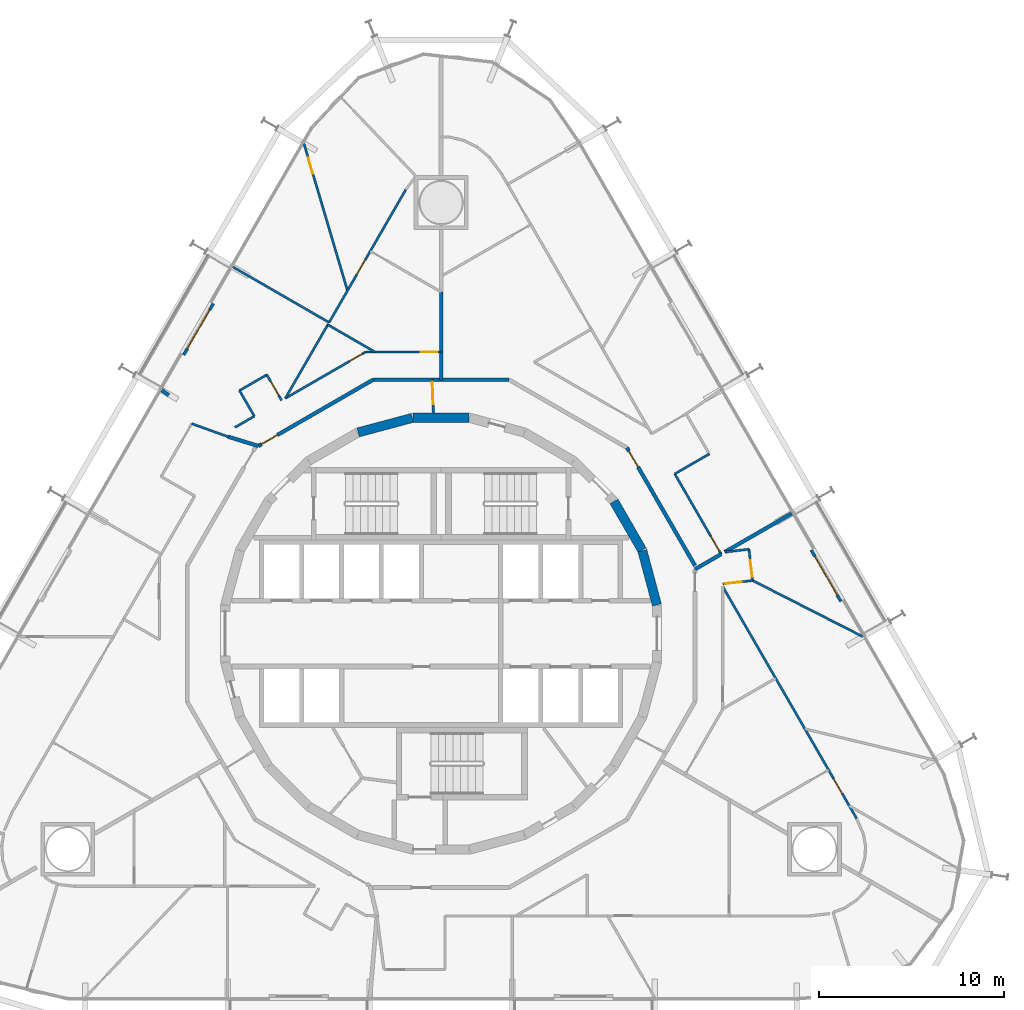
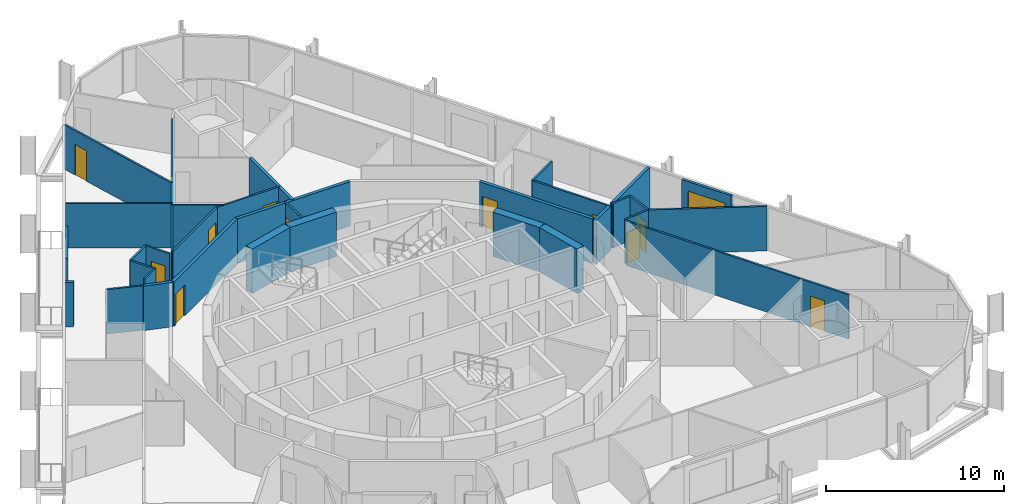
# One storey, part 17 of 20: 34 walls, 14 doors, 14 openings.
"""IFC4 building model written with IfcOpenShell, lengths in metres."""

from ifc_helpers import new_model, si_unit, direction, frame, frame_2d, origin, place, context, subcontext, project, spatial, rectangle, extrude, material, layer, layer_set, type_object, element, fill, save


model = new_model("IFC4")

# Units and contexts
model_context = context("Model", 3, precision=1e-05, world=origin(), true_north=direction((0.0, 1.0)))
body_context = subcontext(model_context, "Body", "Model", "MODEL_VIEW")
ifc_project = project(units=[si_unit("LENGTHUNIT", "METRE"), si_unit("AREAUNIT", "SQUARE_METRE"), si_unit("VOLUMEUNIT", "CUBIC_METRE"), si_unit("PLANEANGLEUNIT", "RADIAN"), si_unit("MASSUNIT", "GRAM", prefix="KILO")], contexts=[model_context])

# Site, building, storey
site_placement = place(None, origin())
site = spatial("IfcSite", under=ifc_project, at=site_placement, CompositionType="ELEMENT")
building_placement = place(site_placement, origin())
building = spatial("IfcBuilding", under=site, at=building_placement, Name="Spindle Arch Residences", CompositionType="ELEMENT")
storey_placement = place(building_placement, frame((0.0, 0.0, 66.39990234375)))
storey = spatial("IfcBuildingStorey", under=building, at=storey_placement, Name="L15", CompositionType="ELEMENT", Elevation=66.39990234375)

# Walls
ifc_material_1 = material(Name="Concrete C50/60", Category="concrete")
ifc_layer_1 = layer(ifc_material_1, 0.5)
ifc_layer_set_1 = layer_set([ifc_layer_1], Name="Core outline wall 500")
wall_type_1 = type_object("IfcWallType", Name="Core outline wall 500", PredefinedType="SHEAR", material=ifc_layer_set_1)
for number, where, z_axis, x_axis, name in (
    (1, (11.642822265625, 1.5498046875, 0.0), (0.0, 0.0, 1.0), (-0.258734743916, 0.965948410781, 0.0), "Core outline wall 7"),
    (2, (10.84521484375, 4.510498046875, 0.0), (0.0, 0.0, 1.0), (-0.500087131594, 0.865975092491, 0.0), "Core outline wall 8"),
    (3, (1.516357421875, 11.647216796875, 0.0), (0.0, 0.0, 1.0), (-1.0, 0.0, 0.0), "Core outline wall 12"),
    (4, (-1.5498046875, 11.642822265625, 0.0), (0.0, 0.0, 1.0), (-0.965948410781, -0.258734743916, 0.0), "Core outline wall 13"),
):
    element("IfcWall", number, at=place(storey_placement, frame(where, z_axis=z_axis, x_axis=x_axis)), inside=storey, type_object=wall_type_1, Name=name, PredefinedType="SHEAR", context=body_context, shape_type="SweptSolid", body=[
        extrude(rectangle(XDim=3.03271484375, YDim=0.5, at=frame_2d((1.516357421875, 0.0))), origin(), (0.0, 0.0, 1.0), 3.050048828125),
    ])

# Wall, opening, door
ifc_material_2 = material(Name="Plasterboard on steel studs", Category="steel")
ifc_layer_2 = layer(ifc_material_2, 0.1201171875)
ifc_layer_set_2 = layer_set([ifc_layer_2], Name="Corridor division wall 120")
wall_type_2 = type_object("IfcWallType", Name="Corridor division wall 120", PredefinedType="PARTITIONING", material=ifc_layer_set_2)
wall_1_placement = place(storey_placement, frame((-0.478515625, 13.699951171875, 0.0), z_axis=(0.0, 0.0, 1.0), x_axis=(0.034919103017, -0.999390142159, 0.0)))
wall_1 = element("IfcWall", 5, at=wall_1_placement, inside=storey, type_object=wall_type_2, Name="Corridor division wall R1C0-W001", PredefinedType="PARTITIONING", context=body_context, shape_type="SweptSolid", body=[
    extrude(rectangle(XDim=1.803955078125, YDim=0.1201171875, at=frame_2d((0.90185546875, 0.0))), origin(), (0.0, 0.0, 1.0), 3.050048828125),
])
opening_1_placement = place(wall_1_placement, frame((0.110107421875, 0.0, 0.0)))
opening_1 = element("IfcOpeningElement", 6, at=opening_1_placement, cuts=wall_1, Name="Opening R1C0-CD01", PredefinedType="OPENING", context=body_context, shape_type="SweptSolid", body=[
    extrude(rectangle(XDim=1.199951171875, YDim=2.10009765625, at=frame_2d((0.60009765625, 1.050048828125))), frame((0.0, 0.070068359375, 0.0), z_axis=(0.0, -1.0, 0.0), x_axis=(1.0, 0.0, 0.0)), (0.0, 0.0, 1.0), 0.14013671875),
])
ifc_material_3 = material(Name="Steel, fire-resisting door", Category="steel")
door_type_1 = type_object("IfcDoorType", Name="Corridor division door 1200x2100", OperationType="NOTDEFINED", PredefinedType="DOOR", material=ifc_material_3)
door_1_placement = place(opening_1_placement, origin())
door_1 = element("IfcDoor", 7, at=door_1_placement, inside=storey, type_object=door_type_1, Name="Corridor division door R1C0-CD01", OperationType="DOUBLE_DOOR_SINGLE_SWING", OverallHeight=2.10009765625, OverallWidth=1.199951171875, PredefinedType="DOOR", context=body_context, shape_type="SweptSolid", body=[
    extrude(rectangle(XDim=1.199951171875, YDim=2.10009765625, at=frame_2d((0.60009765625, 1.050048828125))), frame((0.0, 0.02490234375, 0.0), z_axis=(0.0, -1.0, 0.0), x_axis=(1.0, 0.0, 0.0)), (0.0, 0.0, 1.0), 0.050048828125),
])
fill(opening_1, door_1)

ifc_material_4 = material(Name="Calcium silicate block, plastered")
ifc_layer_3 = layer(ifc_material_4, 0.199951171875)
ifc_layer_set_3 = layer_set([ifc_layer_3], Name="Corridor wall 200")
wall_type_3 = type_object("IfcWallType", Name="Corridor wall 200", PredefinedType="STANDARD", material=ifc_layer_set_3)
wall_2_placement = place(storey_placement, frame((13.699951171875, 3.6708984375, 0.0), z_axis=(0.0, 0.0, 1.0), x_axis=(-0.500001669485, 0.866024439905, 0.0)))
wall_2 = element("IfcWall", 8, at=wall_2_placement, inside=storey, type_object=wall_type_3, Name="Corridor wall R1C0-W004", PredefinedType="STANDARD", context=body_context, shape_type="SweptSolid", body=[
    extrude(rectangle(XDim=7.341796875, YDim=0.199951171875, at=frame_2d((3.6708984375, 0.0))), origin(), (0.0, 0.0, 1.0), 3.050048828125),
])
opening_2_placement = place(wall_2_placement, frame((6.141845703125, 0.0, 0.0)))
opening_2 = element("IfcOpeningElement", 9, at=opening_2_placement, cuts=wall_2, Name="Opening R1C0-FD01", PredefinedType="OPENING", context=body_context, shape_type="SweptSolid", body=[
    extrude(rectangle(XDim=1.0, YDim=2.10009765625, at=frame_2d((0.5, 1.050048828125))), frame((0.0, 0.10986328125, 0.0), z_axis=(0.0, -1.0, 0.0), x_axis=(1.0, 0.0, 0.0)), (0.0, 0.0, 1.0), 0.219970703125),
])
ifc_material_5 = material(Name="Timber, fire-resisting door set", Category="wood")
door_type_2 = type_object("IfcDoorType", Name="Flat entrance door 1000x2100", OperationType="NOTDEFINED", PredefinedType="DOOR", material=ifc_material_5)
door_2_placement = place(opening_2_placement, origin())
door_2 = element("IfcDoor", 10, at=door_2_placement, inside=storey, type_object=door_type_2, Name="Flat entrance door R1C0-FD01", OperationType="SINGLE_SWING_RIGHT", OverallHeight=2.10009765625, OverallWidth=1.0, PredefinedType="DOOR", context=body_context, shape_type="SweptSolid", body=[
    extrude(rectangle(XDim=1.0, YDim=2.10009765625, at=frame_2d((0.5, 1.050048828125))), frame((0.0, 0.02490234375, 0.0), z_axis=(0.0, -1.0, 0.0), x_axis=(1.0, 0.0, 0.0)), (0.0, 0.0, 1.0), 0.050048828125),
])
fill(opening_2, door_2)

# Wall
wall_3_placement = place(storey_placement, frame((3.6708984375, 13.699951171875, 0.0), z_axis=(0.0, 0.0, 1.0), x_axis=(-1.0, 0.0, 0.0)))
element("IfcWall", 11, at=wall_3_placement, inside=storey, type_object=wall_type_3, Name="Corridor wall R1C0-W006", PredefinedType="STANDARD", context=body_context, shape_type="SweptSolid", body=[
    extrude(rectangle(XDim=7.341796875, YDim=0.199951171875, at=frame_2d((3.6708984375, 0.0))), origin(), (0.0, 0.0, 1.0), 3.050048828125),
])

# Wall, opening, door
wall_4_placement = place(storey_placement, frame((-3.6708984375, 13.699951171875, 0.0), z_axis=(0.0, 0.0, 1.0), x_axis=(-0.866031419417, -0.499989580474, 0.0)))
wall_4 = element("IfcWall", 12, at=wall_4_placement, inside=storey, type_object=wall_type_3, Name="Corridor wall R1C0-W009", PredefinedType="STANDARD", context=body_context, shape_type="SweptSolid", body=[
    extrude(rectangle(XDim=7.146728515625, YDim=0.199951171875, at=frame_2d((3.5732421875, 0.0))), origin(), (0.0, 0.0, 1.0), 3.050048828125),
])
opening_3_placement = place(wall_4_placement, frame((5.946533203125, 0.0, 0.0)))
opening_3 = element("IfcOpeningElement", 13, at=opening_3_placement, cuts=wall_4, Name="Opening R1C0-FD02", PredefinedType="OPENING", context=body_context, shape_type="SweptSolid", body=[
    extrude(rectangle(XDim=1.0, YDim=2.10009765625, at=frame_2d((0.5, 1.050048828125))), frame((0.0, 0.10986328125, 0.0), z_axis=(0.0, -1.0, 0.0), x_axis=(1.0, 0.0, 0.0)), (0.0, 0.0, 1.0), 0.219970703125),
])
door_3_placement = place(opening_3_placement, origin())
door_3 = element("IfcDoor", 14, at=door_3_placement, inside=storey, type_object=door_type_2, Name="Flat entrance door R1C0-FD02", OperationType="SINGLE_SWING_LEFT", OverallHeight=2.10009765625, OverallWidth=1.0, PredefinedType="DOOR", context=body_context, shape_type="SweptSolid", body=[
    extrude(rectangle(XDim=1.0, YDim=2.10009765625, at=frame_2d((0.5, 1.050048828125))), frame((0.0, 0.02490234375, 0.0), z_axis=(0.0, -1.0, 0.0), x_axis=(1.0, 0.0, 0.0)), (0.0, 0.0, 1.0), 0.050048828125),
])
fill(opening_3, door_3)

ifc_material_6 = material(Name="Plasterboard on steel studs", Category="steel")
ifc_layer_4 = layer(ifc_material_6, 0.1201171875)
ifc_layer_set_4 = layer_set([ifc_layer_4], Name="Flat partition 120")
wall_type_4 = type_object("IfcWallType", Name="Flat partition 120", PredefinedType="PARTITIONING", material=ifc_layer_set_4)
wall_5_placement = place(storey_placement, frame((15.109619140625, 4.289306640625, 0.0), z_axis=(0.0, 0.0, 1.0), x_axis=(-0.500033654285, 0.866005972602, 0.0)))
wall_5 = element("IfcWall", 15, at=wall_5_placement, inside=storey, type_object=wall_type_4, Name="Flat partition R1C0-W032", PredefinedType="PARTITIONING", context=body_context, shape_type="SweptSolid", body=[
    extrude(rectangle(XDim=5.002685546875, YDim=0.1201171875, at=frame_2d((2.50146484375, 0.0))), origin(), (0.0, 0.0, 1.0), 3.050048828125),
])
opening_4_placement = place(wall_5_placement, frame((0.199951171875, 0.0, 0.0)))
opening_4 = element("IfcOpeningElement", 16, at=opening_4_placement, cuts=wall_5, Name="Opening R1C0-ID01", PredefinedType="OPENING", context=body_context, shape_type="SweptSolid", body=[
    extrude(rectangle(XDim=0.89990234375, YDim=2.10009765625, at=frame_2d((0.449951171875, 1.050048828125))), frame((0.0, 0.070068359375, 0.0), z_axis=(0.0, -1.0, 0.0), x_axis=(1.0, 0.0, 0.0)), (0.0, 0.0, 1.0), 0.14013671875),
])
ifc_material_7 = material(Name="Timber door set", Category="wood")
door_type_3 = type_object("IfcDoorType", Name="Room door 900x2100", OperationType="NOTDEFINED", PredefinedType="DOOR", material=ifc_material_7)
door_4_placement = place(opening_4_placement, origin())
door_4 = element("IfcDoor", 17, at=door_4_placement, inside=storey, type_object=door_type_3, Name="Room door R1C0-ID01", OperationType="SINGLE_SWING_LEFT", OverallHeight=2.10009765625, OverallWidth=0.89990234375, PredefinedType="DOOR", context=body_context, shape_type="SweptSolid", body=[
    extrude(rectangle(XDim=0.89990234375, YDim=2.10009765625, at=frame_2d((0.449951171875, 1.050048828125))), frame((0.0, 0.02490234375, 0.0), z_axis=(0.0, -1.0, 0.0), x_axis=(1.0, 0.0, 0.0)), (0.0, 0.0, 1.0), 0.050048828125),
])
fill(opening_4, door_4)

# Wall
wall_6_placement = place(storey_placement, frame((12.608154296875, 8.62158203125, 0.0), z_axis=(0.0, 0.0, 1.0), x_axis=(0.866005997533, 0.500033611107, 0.0)))
element("IfcWall", 18, at=wall_6_placement, inside=storey, type_object=wall_type_4, Name="Flat partition R1C0-W033", PredefinedType="PARTITIONING", context=body_context, shape_type="SweptSolid", body=[
    extrude(rectangle(XDim=2.150634765625, YDim=0.1201171875, at=frame_2d((1.0751953125, 0.0))), origin(), (0.0, 0.0, 1.0), 3.050048828125),
])

# Wall, opening, door
wall_7_placement = place(storey_placement, frame((0.0, 15.199951171875, 0.0), z_axis=(0.0, 0.0, 1.0), x_axis=(-1.0, 0.0, 0.0)))
wall_7 = element("IfcWall", 19, at=wall_7_placement, inside=storey, type_object=wall_type_4, Name="Flat partition R1C0-W049", PredefinedType="PARTITIONING", context=body_context, shape_type="SweptSolid", body=[
    extrude(rectangle(XDim=4.07275390625, YDim=0.1201171875, at=frame_2d((2.036376953125, 0.0))), origin(), (0.0, 0.0, 1.0), 3.050048828125),
])
opening_5_placement = place(wall_7_placement, frame((0.199951171875, 0.0, 0.0)))
opening_5 = element("IfcOpeningElement", 20, at=opening_5_placement, cuts=wall_7, Name="Opening R1C0-ID07", PredefinedType="OPENING", context=body_context, shape_type="SweptSolid", body=[
    extrude(rectangle(XDim=0.89990234375, YDim=2.10009765625, at=frame_2d((0.449951171875, 1.050048828125))), frame((0.0, 0.070068359375, 0.0), z_axis=(0.0, -1.0, 0.0), x_axis=(1.0, 0.0, 0.0)), (0.0, 0.0, 1.0), 0.14013671875),
])
door_5_placement = place(opening_5_placement, origin())
door_5 = element("IfcDoor", 21, at=door_5_placement, inside=storey, type_object=door_type_3, Name="Room door R1C0-ID07", OperationType="SINGLE_SWING_RIGHT", OverallHeight=2.10009765625, OverallWidth=0.89990234375, PredefinedType="DOOR", context=body_context, shape_type="SweptSolid", body=[
    extrude(rectangle(XDim=0.89990234375, YDim=2.10009765625, at=frame_2d((0.449951171875, 1.050048828125))), frame((0.0, 0.02490234375, 0.0), z_axis=(0.0, -1.0, 0.0), x_axis=(1.0, 0.0, 0.0)), (0.0, 0.0, 1.0), 0.050048828125),
])
fill(opening_5, door_5)

wall_8_placement = place(storey_placement, frame((-4.07275390625, 15.199951171875, 0.0), z_axis=(0.0, 0.0, 1.0), x_axis=(-0.866034514313, -0.499984219769, 0.0)))
wall_8 = element("IfcWall", 22, at=wall_8_placement, inside=storey, type_object=wall_type_4, Name="Flat partition R1C0-W050", PredefinedType="PARTITIONING", context=body_context, shape_type="SweptSolid", body=[
    extrude(rectangle(XDim=5.005615234375, YDim=0.1201171875, at=frame_2d((2.5029296875, 0.0))), origin(), (0.0, 0.0, 1.0), 3.050048828125),
])
opening_6_placement = place(wall_8_placement, frame((0.199951171875, 0.0, 0.0)))
opening_6 = element("IfcOpeningElement", 23, at=opening_6_placement, cuts=wall_8, Name="Opening R1C0-BD02", PredefinedType="OPENING", context=body_context, shape_type="SweptSolid", body=[
    extrude(rectangle(XDim=0.800048828125, YDim=2.10009765625, at=frame_2d((0.39990234375, 1.050048828125))), frame((0.0, 0.070068359375, 0.0), z_axis=(0.0, -1.0, 0.0), x_axis=(1.0, 0.0, 0.0)), (0.0, 0.0, 1.0), 0.14013671875),
])
ifc_material_8 = material(Name="Timber door set", Category="wood")
door_type_4 = type_object("IfcDoorType", Name="Bathroom door 800x2100", OperationType="NOTDEFINED", PredefinedType="DOOR", material=ifc_material_8)
door_6_placement = place(opening_6_placement, origin())
door_6 = element("IfcDoor", 24, at=door_6_placement, inside=storey, type_object=door_type_4, Name="Bathroom door R1C0-BD02", OperationType="SINGLE_SWING_LEFT", OverallHeight=2.10009765625, OverallWidth=0.800048828125, PredefinedType="DOOR", context=body_context, shape_type="SweptSolid", body=[
    extrude(rectangle(XDim=0.800048828125, YDim=2.10009765625, at=frame_2d((0.39990234375, 1.050048828125))), frame((0.0, 0.02490234375, 0.0), z_axis=(0.0, -1.0, 0.0), x_axis=(1.0, 0.0, 0.0)), (0.0, 0.0, 1.0), 0.050048828125),
])
fill(opening_6, door_6)

wall_9_placement = place(storey_placement, frame((-8.60595703125, 12.582763671875, 0.0), z_axis=(0.0, 0.0, 1.0), x_axis=(-0.499995408039, 0.866028054938, 0.0)))
wall_9 = element("IfcWall", 25, at=wall_9_placement, inside=storey, type_object=wall_type_4, Name="Flat partition R1C0-W051", PredefinedType="PARTITIONING", context=body_context, shape_type="SweptSolid", body=[
    extrude(rectangle(XDim=1.60009765625, YDim=0.1201171875, at=frame_2d((0.800048828125, 0.0))), origin(), (0.0, 0.0, 1.0), 3.050048828125),
])
opening_7_placement = place(wall_9_placement, frame((0.300048828125, 0.0, 0.0)))
opening_7 = element("IfcOpeningElement", 26, at=opening_7_placement, cuts=wall_9, Name="Opening R1C0-ID08", PredefinedType="OPENING", context=body_context, shape_type="SweptSolid", body=[
    extrude(rectangle(XDim=0.89990234375, YDim=2.10009765625, at=frame_2d((0.449951171875, 1.050048828125))), frame((0.0, 0.070068359375, 0.0), z_axis=(0.0, -1.0, 0.0), x_axis=(1.0, 0.0, 0.0)), (0.0, 0.0, 1.0), 0.14013671875),
])
door_7_placement = place(opening_7_placement, origin())
door_7 = element("IfcDoor", 27, at=door_7_placement, inside=storey, type_object=door_type_3, Name="Room door R1C0-ID08", OperationType="SINGLE_SWING_RIGHT", OverallHeight=2.10009765625, OverallWidth=0.89990234375, PredefinedType="DOOR", context=body_context, shape_type="SweptSolid", body=[
    extrude(rectangle(XDim=0.89990234375, YDim=2.10009765625, at=frame_2d((0.449951171875, 1.050048828125))), frame((0.0, 0.02490234375, 0.0), z_axis=(0.0, -1.0, 0.0), x_axis=(1.0, 0.0, 0.0)), (0.0, 0.0, 1.0), 0.050048828125),
])
fill(opening_7, door_7)

# Walls
wall_10_placement = place(storey_placement, frame((-9.406005859375, 13.968505859375, 0.0), z_axis=(0.0, 0.0, 1.0), x_axis=(-0.865989465428, -0.500062241894, 0.0)))
element("IfcWall", 28, at=wall_10_placement, inside=storey, type_object=wall_type_4, Name="Flat partition R1C0-W052", PredefinedType="PARTITIONING", context=body_context, shape_type="SweptSolid", body=[
    extrude(rectangle(XDim=1.699951171875, YDim=0.1201171875, at=frame_2d((0.85009765625, 0.0))), origin(), (0.0, 0.0, 1.0), 3.050048828125),
])
wall_11_placement = place(storey_placement, frame((-10.878173828125, 13.118408203125, 0.0), z_axis=(0.0, 0.0, 1.0), x_axis=(0.500061482766, -0.865989903783, 0.0)))
element("IfcWall", 29, at=wall_11_placement, inside=storey, type_object=wall_type_4, Name="Flat partition R1C0-W053", PredefinedType="PARTITIONING", context=body_context, shape_type="SweptSolid", body=[
    extrude(rectangle(XDim=1.599853515625, YDim=0.1201171875, at=frame_2d((0.7998046875, 0.0))), origin(), (0.0, 0.0, 1.0), 3.050048828125),
])
wall_12_placement = place(storey_placement, frame((-10.078125, 11.73291015625, 0.0), z_axis=(0.0, 0.0, 1.0), x_axis=(-0.866014416983, -0.500019029215, 0.0)))
element("IfcWall", 30, at=wall_12_placement, inside=storey, type_object=wall_type_4, Name="Flat partition R1C0-W054", PredefinedType="PARTITIONING", context=body_context, shape_type="SweptSolid", body=[
    extrude(rectangle(XDim=1.21142578125, YDim=0.1201171875, at=frame_2d((0.605712890625, 0.0))), origin(), (0.0, 0.0, 1.0), 3.050048828125),
])

# Wall, opening, door
wall_13_placement = place(storey_placement, frame((-1.90673828125, 23.957275390625, 0.0), z_axis=(0.0, 0.0, 1.0), x_axis=(-0.499994901178, -0.866028347571, 0.0)))
wall_13 = element("IfcWall", 31, at=wall_13_placement, inside=storey, type_object=wall_type_4, Name="Flat partition R1C0-W058", PredefinedType="PARTITIONING", context=body_context, shape_type="SweptSolid", body=[
    extrude(rectangle(XDim=8.27392578125, YDim=0.1201171875, at=frame_2d((4.136962890625, 0.0))), origin(), (0.0, 0.0, 1.0), 3.050048828125),
])
opening_8_placement = place(wall_13_placement, frame((4.387451171875, 0.0, 0.0)))
opening_8 = element("IfcOpeningElement", 32, at=opening_8_placement, cuts=wall_13, Name="Opening R1C0-ID09", PredefinedType="OPENING", context=body_context, shape_type="SweptSolid", body=[
    extrude(rectangle(XDim=0.89990234375, YDim=2.10009765625, at=frame_2d((0.449951171875, 1.050048828125))), frame((0.0, 0.070068359375, 0.0), z_axis=(0.0, -1.0, 0.0), x_axis=(1.0, 0.0, 0.0)), (0.0, 0.0, 1.0), 0.14013671875),
])
door_8_placement = place(opening_8_placement, origin())
door_8 = element("IfcDoor", 33, at=door_8_placement, inside=storey, type_object=door_type_3, Name="Room door R1C0-ID09", OperationType="SINGLE_SWING_LEFT", OverallHeight=2.10009765625, OverallWidth=0.89990234375, PredefinedType="DOOR", context=body_context, shape_type="SweptSolid", body=[
    extrude(rectangle(XDim=0.89990234375, YDim=2.10009765625, at=frame_2d((0.449951171875, 1.050048828125))), frame((0.0, 0.02490234375, 0.0), z_axis=(0.0, -1.0, 0.0), x_axis=(1.0, 0.0, 0.0)), (0.0, 0.0, 1.0), 0.050048828125),
])
fill(opening_8, door_8)

# Wall
wall_14_placement = place(storey_placement, frame((-6.114013671875, 16.669921875, 0.0), z_axis=(0.0, 0.0, 1.0), x_axis=(0.866011328839, -0.500024377727, 0.0)))
element("IfcWall", 34, at=wall_14_placement, inside=storey, type_object=wall_type_4, Name="Flat partition R1C0-W059", PredefinedType="PARTITIONING", context=body_context, shape_type="SweptSolid", body=[
    extrude(rectangle(XDim=2.939697265625, YDim=0.1201171875, at=frame_2d((1.4697265625, 0.0))), origin(), (0.0, 0.0, 1.0), 3.050048828125),
])

# Wall, opening, door
wall_15_placement = place(storey_placement, frame((-7.39990234375, 26.44287109375, 0.0), z_axis=(0.0, 0.0, 1.0), x_axis=(0.283777867447, -0.95889004685, 0.0)))
wall_15 = element("IfcWall", 35, at=wall_15_placement, inside=storey, type_object=wall_type_4, Name="Flat partition R1C0-W060", PredefinedType="PARTITIONING", context=body_context, shape_type="SweptSolid", body=[
    extrude(rectangle(XDim=8.273681640625, YDim=0.1201171875, at=frame_2d((4.13671875, 0.0))), origin(), (0.0, 0.0, 1.0), 3.050048828125),
])
opening_9_placement = place(wall_15_placement, frame((0.800048828125, 0.0, 0.0)))
opening_9 = element("IfcOpeningElement", 36, at=opening_9_placement, cuts=wall_15, Name="Opening R1C0-ID11", PredefinedType="OPENING", context=body_context, shape_type="SweptSolid", body=[
    extrude(rectangle(XDim=0.89990234375, YDim=2.10009765625, at=frame_2d((0.449951171875, 1.050048828125))), frame((0.0, 0.070068359375, 0.0), z_axis=(0.0, -1.0, 0.0), x_axis=(1.0, 0.0, 0.0)), (0.0, 0.0, 1.0), 0.14013671875),
])
door_9_placement = place(opening_9_placement, origin())
door_9 = element("IfcDoor", 37, at=door_9_placement, inside=storey, type_object=door_type_3, Name="Room door R1C0-ID11", OperationType="SINGLE_SWING_RIGHT", OverallHeight=2.10009765625, OverallWidth=0.89990234375, PredefinedType="DOOR", context=body_context, shape_type="SweptSolid", body=[
    extrude(rectangle(XDim=0.89990234375, YDim=2.10009765625, at=frame_2d((0.449951171875, 1.050048828125))), frame((0.0, 0.02490234375, 0.0), z_axis=(0.0, -1.0, 0.0), x_axis=(1.0, 0.0, 0.0)), (0.0, 0.0, 1.0), 0.050048828125),
])
fill(opening_9, door_9)

# Walls
wall_16_placement = place(storey_placement, frame((-11.239990234375, 19.791748046875, 0.0), z_axis=(0.0, 0.0, 1.0), x_axis=(0.866031096941, -0.499990139034, 0.0)))
element("IfcWall", 38, at=wall_16_placement, inside=storey, type_object=wall_type_4, Name="Flat partition R1C0-W061", PredefinedType="PARTITIONING", context=body_context, shape_type="SweptSolid", body=[
    extrude(rectangle(XDim=6.0, YDim=0.1201171875, at=frame_2d((3.0, 0.0))), origin(), (0.0, 0.0, 1.0), 3.050048828125),
])
wall_17_placement = place(storey_placement, frame((-6.093994140625, 16.70458984375, 0.0), z_axis=(0.0, 0.0, 1.0), x_axis=(-0.500014747178, -0.86601688933, 0.0)))
element("IfcWall", 39, at=wall_17_placement, inside=storey, type_object=wall_type_4, Name="Flat partition R1C0-W062", PredefinedType="PARTITIONING", context=body_context, shape_type="SweptSolid", body=[
    extrude(rectangle(XDim=4.627197265625, YDim=0.1201171875, at=frame_2d((2.3134765625, 0.0))), origin(), (0.0, 0.0, 1.0), 3.050048828125),
])
wall_18_placement = place(storey_placement, frame((-11.458251953125, 10.613525390625, 0.0), z_axis=(0.0, 0.0, 1.0), x_axis=(-0.941092440198, 0.338149403375, 0.0)))
element("IfcWall", 40, at=wall_18_placement, inside=storey, type_object=wall_type_4, Name="Flat partition R1C0-W063", PredefinedType="PARTITIONING", context=body_context, shape_type="SweptSolid", body=[
    extrude(rectangle(XDim=2.123291015625, YDim=0.1201171875, at=frame_2d((1.0615234375, 0.0))), origin(), (0.0, 0.0, 1.0), 3.050048828125),
])

# Wall, opening, door
wall_19_placement = place(storey_placement, frame((16.810302734375, 2.8681640625, 0.0), z_axis=(0.0, 0.0, 1.0), x_axis=(-0.117049566217, 0.993126074096, 0.0)))
wall_19 = element("IfcWall", 41, at=wall_19_placement, inside=storey, type_object=wall_type_4, Name="Flat partition R1C0-W112", PredefinedType="PARTITIONING", context=body_context, shape_type="SweptSolid", body=[
    extrude(rectangle(XDim=1.699951171875, YDim=0.1201171875, at=frame_2d((0.85009765625, 0.0))), origin(), (0.0, 0.0, 1.0), 3.050048828125),
])
opening_10_placement = place(wall_19_placement, frame((0.199951171875, 0.0, 0.0)))
opening_10 = element("IfcOpeningElement", 42, at=opening_10_placement, cuts=wall_19, Name="Opening R1C0-ID29", PredefinedType="OPENING", context=body_context, shape_type="SweptSolid", body=[
    extrude(rectangle(XDim=0.89990234375, YDim=2.10009765625, at=frame_2d((0.449951171875, 1.050048828125))), frame((0.0, 0.070068359375, 0.0), z_axis=(0.0, -1.0, 0.0), x_axis=(1.0, 0.0, 0.0)), (0.0, 0.0, 1.0), 0.14013671875),
])
door_10_placement = place(opening_10_placement, origin())
door_10 = element("IfcDoor", 43, at=door_10_placement, inside=storey, type_object=door_type_3, Name="Room door R1C0-ID29", OperationType="SINGLE_SWING_LEFT", OverallHeight=2.10009765625, OverallWidth=0.89990234375, PredefinedType="DOOR", context=body_context, shape_type="SweptSolid", body=[
    extrude(rectangle(XDim=0.89990234375, YDim=2.10009765625, at=frame_2d((0.449951171875, 1.050048828125))), frame((0.0, 0.02490234375, 0.0), z_axis=(0.0, -1.0, 0.0), x_axis=(1.0, 0.0, 0.0)), (0.0, 0.0, 1.0), 0.050048828125),
])
fill(opening_10, door_10)

# Wall
wall_20_placement = place(storey_placement, frame((16.611328125, 4.556396484375, 0.0), z_axis=(0.0, 0.0, 1.0), x_axis=(-0.993151872114, -0.116830470836, 0.0)))
element("IfcWall", 44, at=wall_20_placement, inside=storey, type_object=wall_type_4, Name="Flat partition R1C0-W113", PredefinedType="PARTITIONING", context=body_context, shape_type="SweptSolid", body=[
    extrude(rectangle(XDim=1.314453125, YDim=0.1201171875, at=frame_2d((0.6572265625, 0.0))), origin(), (0.0, 0.0, 1.0), 3.050048828125),
])

# Wall, opening, door
wall_21_placement = place(storey_placement, frame((15.199951171875, 2.6787109375, 0.0), z_axis=(0.0, 0.0, 1.0), x_axis=(0.993150604323, 0.116841247567, 0.0)))
wall_21 = element("IfcWall", 45, at=wall_21_placement, inside=storey, type_object=wall_type_4, Name="Flat partition R1C0-W115", PredefinedType="PARTITIONING", context=body_context, shape_type="SweptSolid", body=[
    extrude(rectangle(XDim=1.621337890625, YDim=0.1201171875, at=frame_2d((0.810546875, 0.0))), origin(), (0.0, 0.0, 1.0), 3.050048828125),
])
opening_11_placement = place(wall_21_placement, frame((0.1201171875, 0.0, 0.0)))
opening_11 = element("IfcOpeningElement", 46, at=opening_11_placement, cuts=wall_21, Name="Opening R1C0-ID31", PredefinedType="OPENING", context=body_context, shape_type="SweptSolid", body=[
    extrude(rectangle(XDim=0.89990234375, YDim=2.10009765625, at=frame_2d((0.449951171875, 1.050048828125))), frame((0.0, 0.070068359375, 0.0), z_axis=(0.0, -1.0, 0.0), x_axis=(1.0, 0.0, 0.0)), (0.0, 0.0, 1.0), 0.14013671875),
])
door_11_placement = place(opening_11_placement, origin())
door_11 = element("IfcDoor", 47, at=door_11_placement, inside=storey, type_object=door_type_3, Name="Room door R1C0-ID31", OperationType="SINGLE_SWING_RIGHT", OverallHeight=2.10009765625, OverallWidth=0.89990234375, PredefinedType="DOOR", context=body_context, shape_type="SweptSolid", body=[
    extrude(rectangle(XDim=0.89990234375, YDim=2.10009765625, at=frame_2d((0.449951171875, 1.050048828125))), frame((0.0, 0.02490234375, 0.0), z_axis=(0.0, -1.0, 0.0), x_axis=(1.0, 0.0, 0.0)), (0.0, 0.0, 1.0), 0.050048828125),
])
fill(opening_11, door_11)

# Wall
wall_22_placement = place(storey_placement, frame((16.810302734375, 2.8681640625, 0.0), z_axis=(0.0, 0.0, 1.0), x_axis=(0.891097252128, -0.453812392128, 0.0)))
element("IfcWall", 48, at=wall_22_placement, inside=storey, type_object=wall_type_4, Name="Flat partition R1C0-W117", PredefinedType="PARTITIONING", context=body_context, shape_type="SweptSolid", body=[
    extrude(rectangle(XDim=6.6767578125, YDim=0.1201171875, at=frame_2d((3.33837890625, 0.0))), origin(), (0.0, 0.0, 1.0), 3.050048828125),
])

# Wall, opening, door
wall_23_placement = place(storey_placement, frame((15.199951171875, 2.53271484375, 0.0), z_axis=(0.0, 0.0, 1.0), x_axis=(0.500001127339, -0.866024752914, 0.0)))
wall_23 = element("IfcWall", 49, at=wall_23_placement, inside=storey, type_object=wall_type_4, Name="Flat partition R1C0-W118", PredefinedType="PARTITIONING", context=body_context, shape_type="SweptSolid", body=[
    extrude(rectangle(XDim=14.43408203125, YDim=0.1201171875, at=frame_2d((7.217041015625, 0.0))), origin(), (0.0, 0.0, 1.0), 3.050048828125),
])
opening_12_placement = place(wall_23_placement, frame((11.969970703125, 0.0, 0.0)))
opening_12 = element("IfcOpeningElement", 50, at=opening_12_placement, cuts=wall_23, Name="Opening R1C0-ID33", PredefinedType="OPENING", context=body_context, shape_type="SweptSolid", body=[
    extrude(rectangle(XDim=0.89990234375, YDim=2.10009765625, at=frame_2d((0.449951171875, 1.050048828125))), frame((0.0, 0.070068359375, 0.0), z_axis=(0.0, -1.0, 0.0), x_axis=(1.0, 0.0, 0.0)), (0.0, 0.0, 1.0), 0.14013671875),
])
door_12_placement = place(opening_12_placement, origin())
door_12 = element("IfcDoor", 51, at=door_12_placement, inside=storey, type_object=door_type_3, Name="Room door R1C0-ID33", OperationType="SINGLE_SWING_LEFT", OverallHeight=2.10009765625, OverallWidth=0.89990234375, PredefinedType="DOOR", context=body_context, shape_type="SweptSolid", body=[
    extrude(rectangle(XDim=0.89990234375, YDim=2.10009765625, at=frame_2d((0.449951171875, 1.050048828125))), frame((0.0, 0.02490234375, 0.0), z_axis=(0.0, -1.0, 0.0), x_axis=(1.0, 0.0, 0.0)), (0.0, 0.0, 1.0), 0.050048828125),
])
fill(opening_12, door_12)

# Walls
ifc_material_9 = material(Name="Calcium silicate block, plastered")
ifc_layer_5 = layer(ifc_material_9, 0.199951171875)
ifc_layer_set_5 = layer_set([ifc_layer_5], Name="Flat party wall 200")
wall_type_5 = type_object("IfcWallType", Name="Flat party wall 200", PredefinedType="STANDARD", material=ifc_layer_set_5)
wall_24_placement = place(storey_placement, frame((0.0, 18.436767578125, 0.0), z_axis=(0.0, 0.0, 1.0), x_axis=(0.0, -1.0, 0.0)))
element("IfcWall", 52, at=wall_24_placement, inside=storey, type_object=wall_type_5, Name="Flat party wall R1C0-W017", PredefinedType="STANDARD", context=body_context, shape_type="SweptSolid", body=[
    extrude(rectangle(XDim=4.73681640625, YDim=0.199951171875, at=frame_2d((2.368408203125, 0.0))), origin(), (0.0, 0.0, 1.0), 3.050048828125),
])
wall_25_placement = place(storey_placement, frame((13.699951171875, 3.4755859375, 0.0), z_axis=(0.0, 0.0, 1.0), x_axis=(0.866014281772, 0.500019263395, 0.0)))
element("IfcWall", 53, at=wall_25_placement, inside=storey, type_object=wall_type_5, Name="Flat party wall R1C0-W019", PredefinedType="STANDARD", context=body_context, shape_type="SweptSolid", body=[
    extrude(rectangle(XDim=1.6376953125, YDim=0.199951171875, at=frame_2d((0.81884765625, 0.0))), origin(), (0.0, 0.0, 1.0), 3.050048828125),
])
wall_26_placement = place(storey_placement, frame((15.305908203125, 4.40283203125, 0.0), z_axis=(0.0, 0.0, 1.0), x_axis=(0.866013143551, 0.500021234745, 0.0)))
element("IfcWall", 54, at=wall_26_placement, inside=storey, type_object=wall_type_5, Name="Flat party wall R1C0-W020", PredefinedType="STANDARD", context=body_context, shape_type="SweptSolid", body=[
    extrude(rectangle(XDim=4.173095703125, YDim=0.199951171875, at=frame_2d((2.08642578125, 0.0))), origin(), (0.0, 0.0, 1.0), 3.050048828125),
])
wall_27_placement = place(storey_placement, frame((-11.495849609375, 10.627197265625, 0.0), z_axis=(0.0, 0.0, 1.0), x_axis=(0.956240708563, -0.292581112321, 0.0)))
element("IfcWall", 55, at=wall_27_placement, inside=storey, type_object=wall_type_5, Name="Flat party wall R1C0-W022", PredefinedType="STANDARD", context=body_context, shape_type="SweptSolid", body=[
    extrude(rectangle(XDim=1.710693359375, YDim=0.199951171875, at=frame_2d((0.85546875, 0.0))), origin(), (0.0, 0.0, 1.0), 3.050048828125),
])
wall_28_placement = place(storey_placement, frame((-15.080078125, 13.140380859375, 0.0), z_axis=(0.0, 0.0, 1.0), x_axis=(0.820309143391, -0.571920369692, 0.0)))
element("IfcWall", 56, at=wall_28_placement, inside=storey, type_object=wall_type_5, Name="Flat party wall R1C0-W023", PredefinedType="STANDARD", context=body_context, shape_type="SweptSolid", body=[
    extrude(rectangle(XDim=0.4677734375, YDim=0.199951171875, at=frame_2d((0.23388671875, 0.0))), origin(), (0.0, 0.0, 1.0), 3.050048828125),
])

# Wall, opening, door
ifc_material_10 = material(Name="Non-combustible mineral wool insulated aluminium faced external wall (K0)", Category="aluminium")
ifc_layer_6 = layer(ifc_material_10, 0.159912109375)
ifc_layer_set_6 = layer_set([ifc_layer_6], Name="Insulated external wall panel 160")
wall_type_6 = type_object("IfcWallType", Name="Insulated external wall panel 160", PredefinedType="STANDARD", material=ifc_layer_set_6)
wall_29_placement = place(storey_placement, frame((21.57080078125, 1.73828125, 0.0), z_axis=(0.0, 0.0, 1.0), x_axis=(-0.500028443584, 0.866008981251, 0.0)))
wall_29 = element("IfcWall", 57, at=wall_29_placement, inside=storey, type_object=wall_type_6, Name="External wall L15 bay 7", PredefinedType="STANDARD", context=body_context, shape_type="SweptSolid", body=[
    extrude(rectangle(XDim=3.199951171875, YDim=0.159912109375, at=frame_2d((1.60009765625, 0.0))), origin(), (0.0, 0.0, 1.0), 3.050048828125),
])
opening_13_placement = place(wall_29_placement, frame((0.39990234375, 0.0, 0.0)))
opening_13 = element("IfcOpeningElement", 58, at=opening_13_placement, cuts=wall_29, Name="Opening BD07", PredefinedType="OPENING", context=body_context, shape_type="SweptSolid", body=[
    extrude(rectangle(XDim=2.39990234375, YDim=2.39990234375, at=frame_2d((1.199951171875, 1.199951171875))), frame((0.0, 0.08984375, 0.0), z_axis=(0.0, -1.0, 0.0), x_axis=(1.0, 0.0, 0.0)), (0.0, 0.0, 1.0), 0.179931640625),
])
ifc_material_11 = material(Name="Bronze aluminium frame, tinted double glazing", Category="aluminium")
door_type_5 = type_object("IfcDoorType", Name="Sliding glazed balcony door 2400x2400", OperationType="DOUBLE_DOOR_SLIDING", PredefinedType="DOOR", material=ifc_material_11)
door_13_placement = place(opening_13_placement, origin())
door_13 = element("IfcDoor", 59, at=door_13_placement, inside=storey, type_object=door_type_5, Name="Balcony door BD07", OperationType="DOUBLE_DOOR_SLIDING", OverallHeight=2.39990234375, OverallWidth=2.39990234375, PredefinedType="DOOR", context=body_context, shape_type="SweptSolid", body=[
    extrude(rectangle(XDim=2.39990234375, YDim=2.39990234375, at=frame_2d((1.199951171875, 1.199951171875))), frame((0.0, 0.02490234375, 0.0), z_axis=(0.0, -1.0, 0.0), x_axis=(1.0, 0.0, 0.0)), (0.0, 0.0, 1.0), 0.050048828125),
])
fill(opening_13, door_13)

wall_30_placement = place(storey_placement, frame((-12.290771484375, 17.811767578125, 0.0), z_axis=(0.0, 0.0, 1.0), x_axis=(-0.499971222258, -0.866042017984, 0.0)))
wall_30 = element("IfcWall", 60, at=wall_30_placement, inside=storey, type_object=wall_type_6, Name="External wall L15 bay 15", PredefinedType="STANDARD", context=body_context, shape_type="SweptSolid", body=[
    extrude(rectangle(XDim=3.199951171875, YDim=0.159912109375, at=frame_2d((1.60009765625, 0.0))), origin(), (0.0, 0.0, 1.0), 3.050048828125),
])
opening_14_placement = place(wall_30_placement, frame((0.39990234375, 0.0, 0.0)))
opening_14 = element("IfcOpeningElement", 61, at=opening_14_placement, cuts=wall_30, Name="Opening BD15", PredefinedType="OPENING", context=body_context, shape_type="SweptSolid", body=[
    extrude(rectangle(XDim=2.39990234375, YDim=2.39990234375, at=frame_2d((1.199951171875, 1.199951171875))), frame((0.0, 0.08984375, 0.0), z_axis=(0.0, -1.0, 0.0), x_axis=(1.0, 0.0, 0.0)), (0.0, 0.0, 1.0), 0.179931640625),
])
door_14_placement = place(opening_14_placement, origin())
door_14 = element("IfcDoor", 62, at=door_14_placement, inside=storey, type_object=door_type_5, Name="Balcony door BD15", OperationType="DOUBLE_DOOR_SLIDING", OverallHeight=2.39990234375, OverallWidth=2.39990234375, PredefinedType="DOOR", context=body_context, shape_type="SweptSolid", body=[
    extrude(rectangle(XDim=2.39990234375, YDim=2.39990234375, at=frame_2d((1.199951171875, 1.199951171875))), frame((0.0, 0.02490234375, 0.0), z_axis=(0.0, -1.0, 0.0), x_axis=(1.0, 0.0, 0.0)), (0.0, 0.0, 1.0), 0.050048828125),
])
fill(opening_14, door_14)

save(model, "model.ifc")
